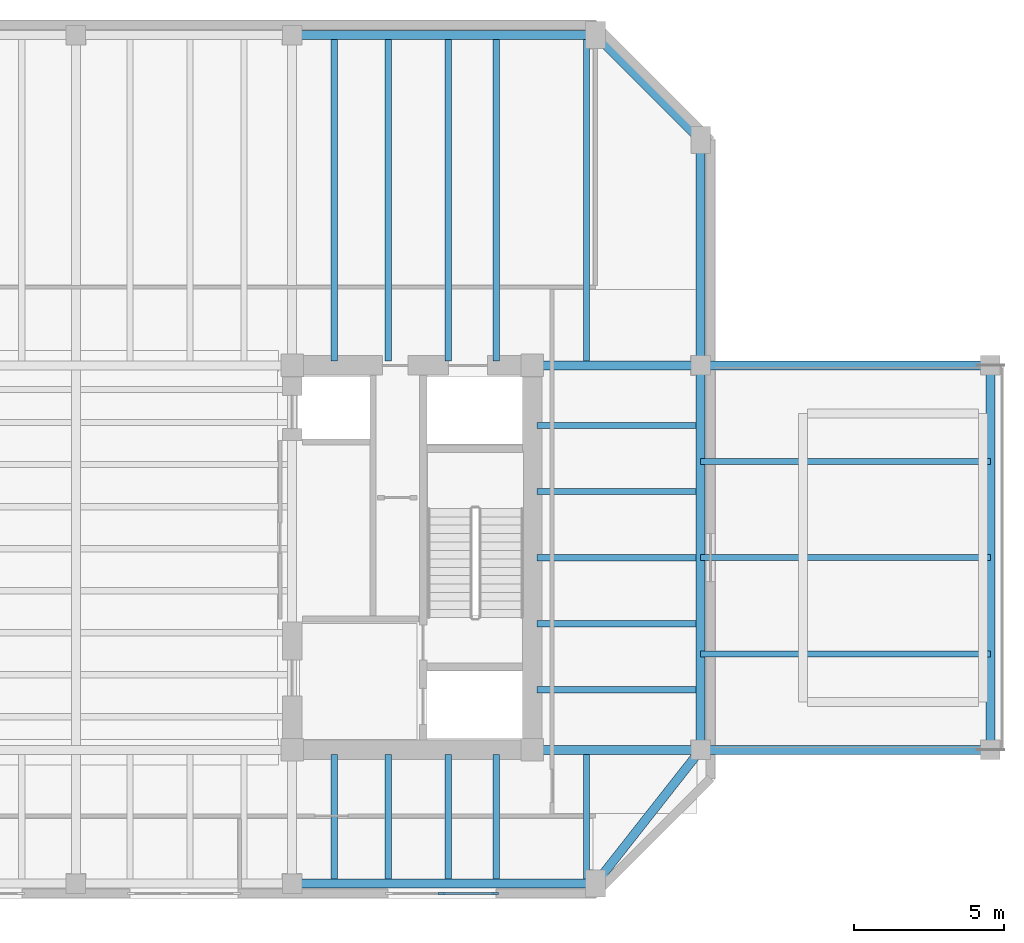
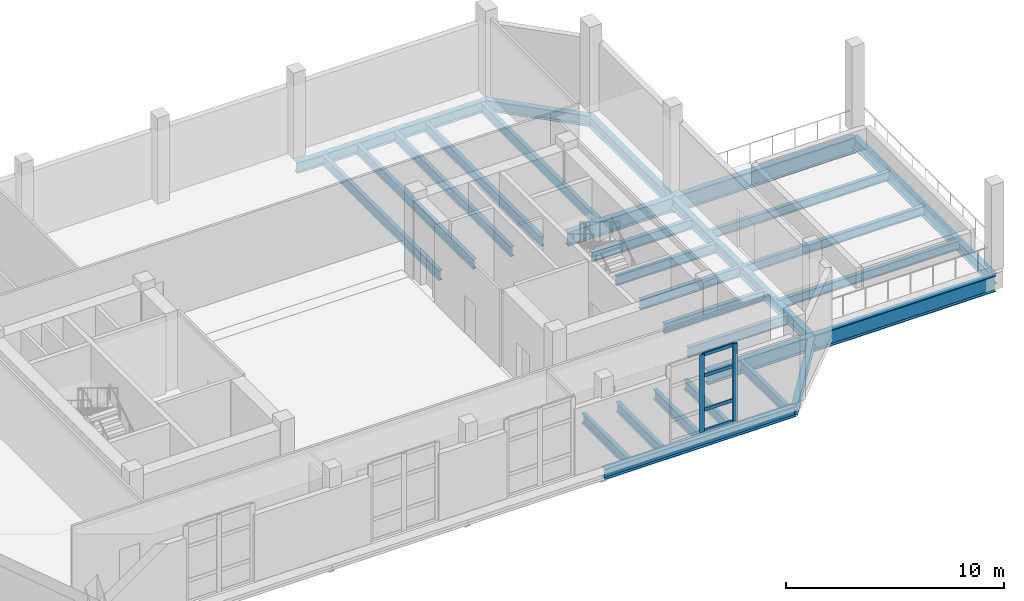
# One storey, part 4 of 11: 29 beams, 6 members, 1 element without a shape of its own.
"""IFC4 building model written with IfcOpenShell, lengths in metres."""

from ifc_helpers import new_model, si_unit, direction, frame, origin, origin_2d, place, context, subcontext, project, spatial, rectangle, i_section, extrude, material, layer, layer_set, material_profile, profile_set, type_object, element, aggregate, save


model = new_model("IFC4")

# Units and contexts
model_context = context("Model", 3, precision=1e-05, world=origin(), true_north=direction((0.0, 1.0)))
body_context = subcontext(model_context, "Body", "Model", "MODEL_VIEW")
ifc_project = project(units=[si_unit("LENGTHUNIT", "METRE"), si_unit("AREAUNIT", "SQUARE_METRE"), si_unit("VOLUMEUNIT", "CUBIC_METRE"), si_unit("PLANEANGLEUNIT", "RADIAN"), si_unit("MASSUNIT", "GRAM", prefix="KILO")], contexts=[model_context])

# Site, building, storey
site_placement = place(None, origin())
site = spatial("IfcSite", under=ifc_project, at=site_placement, CompositionType="ELEMENT")
building_placement = place(site_placement, origin())
building = spatial("IfcBuilding", under=site, at=building_placement, Name="Kranthara Brick Stack", CompositionType="ELEMENT")
storey_placement = place(building_placement, frame((0.0, 0.0, 287.39990234375)))
storey = spatial("IfcBuildingStorey", under=building, at=storey_placement, Name="L76", CompositionType="ELEMENT", Elevation=287.39990234375)

# Beams
ifc_material_1 = material(Name="Steel S355", Category="steel")
ifc_material_profile_1 = material_profile(ifc_material_1, i_section(OverallWidth=0.199951171875, OverallDepth=0.5, WebThickness=0.01025390625, FlangeThickness=0.01611328125, at=origin_2d()), Name="IPE 500")
ifc_profile_set_1 = profile_set([ifc_material_profile_1], Name="Steel S355")
beam_type_1 = type_object("IfcBeamType", Name="BM-JST-IPE500", PredefinedType="JOIST", material=ifc_profile_set_1)
for number, where, z_axis, x_axis, name in (
    (1, (48.800048828125, 24.0, -0.699951171875), (1.0, 0.0, 0.0), (0.0, 1.0, 0.0), "L76 Sky Pool Deck Joist 095"),
    (2, (48.800048828125, 27.199951171875, -0.699951171875), (1.0, 0.0, 0.0), (0.0, 1.0, 0.0), "L76 Sky Pool Deck Joist 096"),
    (3, (48.800048828125, 30.39990234375, -0.699951171875), (1.0, 0.0, 0.0), (0.0, 1.0, 0.0), "L76 Sky Pool Deck Joist 097"),
):
    element("IfcBeam", number, at=place(storey_placement, frame(where, z_axis=z_axis, x_axis=x_axis)), inside=storey, type_object=beam_type_1, Name=name, PredefinedType="JOIST", context=body_context, shape_type="SweptSolid", body=[
        extrude(i_section(OverallWidth=0.199951171875, OverallDepth=0.5, WebThickness=0.01025390625, FlangeThickness=0.01611328125, at=origin_2d()), origin(), (0.0, 0.0, 1.0), 9.64990234375),
    ])
ifc_material_2 = material(Name="Steel S355", Category="steel")
ifc_material_profile_2 = material_profile(ifc_material_2, i_section(OverallWidth=0.2099609375, OverallDepth=0.550048828125, WebThickness=0.010986328125, FlangeThickness=0.01708984375, at=origin_2d()), Name="IPE 550")
ifc_profile_set_2 = profile_set([ifc_material_profile_2], Name="Steel S355")
beam_type_2 = type_object("IfcBeamType", Name="BM-JST-IPE550", PredefinedType="JOIST", material=ifc_profile_set_2)
beam_1_placement = place(storey_placement, frame((36.60009765625, 16.5, -0.724853515625), z_axis=(0.0, 1.0, 0.0), x_axis=(-1.0, 0.0, 0.0)))
element("IfcBeam", 4, at=beam_1_placement, inside=storey, type_object=beam_type_2, Name="L76 South Wing Floor Joist 072", PredefinedType="JOIST", context=body_context, shape_type="SweptSolid", body=[
    extrude(i_section(OverallWidth=0.2099609375, OverallDepth=0.550048828125, WebThickness=0.010986328125, FlangeThickness=0.01708984375, at=origin_2d()), origin(), (0.0, 0.0, 1.0), 4.14990234375),
])
beam_2_placement = place(storey_placement, frame((36.60009765625, 33.75, -0.724853515625), z_axis=(0.0, 1.0, 0.0), x_axis=(-1.0, 0.0, 0.0)))
element("IfcBeam", 5, at=beam_2_placement, inside=storey, type_object=beam_type_2, Name="L76 North Wing Floor Joist 073", PredefinedType="JOIST", context=body_context, shape_type="SweptSolid", body=[
    extrude(i_section(OverallWidth=0.2099609375, OverallDepth=0.550048828125, WebThickness=0.010986328125, FlangeThickness=0.01708984375, at=origin_2d()), origin(), (0.0, 0.0, 1.0), 10.699951171875),
])
beam_3_placement = place(storey_placement, frame((38.39990234375, 16.5, -0.724853515625), z_axis=(0.0, 1.0, 0.0), x_axis=(-1.0, 0.0, 0.0)))
element("IfcBeam", 6, at=beam_3_placement, inside=storey, type_object=beam_type_2, Name="L76 South Wing Floor Joist 074", PredefinedType="JOIST", context=body_context, shape_type="SweptSolid", body=[
    extrude(i_section(OverallWidth=0.2099609375, OverallDepth=0.550048828125, WebThickness=0.010986328125, FlangeThickness=0.01708984375, at=origin_2d()), origin(), (0.0, 0.0, 1.0), 4.14990234375),
])
beam_4_placement = place(storey_placement, frame((38.39990234375, 33.75, -0.724853515625), z_axis=(0.0, 1.0, 0.0), x_axis=(-1.0, 0.0, 0.0)))
element("IfcBeam", 7, at=beam_4_placement, inside=storey, type_object=beam_type_2, Name="L76 North Wing Floor Joist 075", PredefinedType="JOIST", context=body_context, shape_type="SweptSolid", body=[
    extrude(i_section(OverallWidth=0.2099609375, OverallDepth=0.550048828125, WebThickness=0.010986328125, FlangeThickness=0.01708984375, at=origin_2d()), origin(), (0.0, 0.0, 1.0), 10.699951171875),
])
beam_5_placement = place(storey_placement, frame((40.39990234375, 16.5, -0.724853515625), z_axis=(0.0, 1.0, 0.0), x_axis=(-1.0, 0.0, 0.0)))
element("IfcBeam", 8, at=beam_5_placement, inside=storey, type_object=beam_type_2, Name="L76 South Wing Floor Joist 076", PredefinedType="JOIST", context=body_context, shape_type="SweptSolid", body=[
    extrude(i_section(OverallWidth=0.2099609375, OverallDepth=0.550048828125, WebThickness=0.010986328125, FlangeThickness=0.01708984375, at=origin_2d()), origin(), (0.0, 0.0, 1.0), 4.14990234375),
])
beam_6_placement = place(storey_placement, frame((40.39990234375, 33.75, -0.724853515625), z_axis=(0.0, 1.0, 0.0), x_axis=(-1.0, 0.0, 0.0)))
element("IfcBeam", 9, at=beam_6_placement, inside=storey, type_object=beam_type_2, Name="L76 North Wing Floor Joist 077", PredefinedType="JOIST", context=body_context, shape_type="SweptSolid", body=[
    extrude(i_section(OverallWidth=0.2099609375, OverallDepth=0.550048828125, WebThickness=0.010986328125, FlangeThickness=0.01708984375, at=origin_2d()), origin(), (0.0, 0.0, 1.0), 10.699951171875),
])
beam_7_placement = place(storey_placement, frame((42.0, 16.5, -0.724853515625), z_axis=(0.0, 1.0, 0.0), x_axis=(-1.0, 0.0, 0.0)))
element("IfcBeam", 10, at=beam_7_placement, inside=storey, type_object=beam_type_2, Name="L76 South Wing Floor Joist 078", PredefinedType="JOIST", context=body_context, shape_type="SweptSolid", body=[
    extrude(i_section(OverallWidth=0.2099609375, OverallDepth=0.550048828125, WebThickness=0.010986328125, FlangeThickness=0.01708984375, at=origin_2d()), origin(), (0.0, 0.0, 1.0), 4.14990234375),
])
beam_8_placement = place(storey_placement, frame((42.0, 33.75, -0.724853515625), z_axis=(0.0, 1.0, 0.0), x_axis=(-1.0, 0.0, 0.0)))
element("IfcBeam", 11, at=beam_8_placement, inside=storey, type_object=beam_type_2, Name="L76 North Wing Floor Joist 079", PredefinedType="JOIST", context=body_context, shape_type="SweptSolid", body=[
    extrude(i_section(OverallWidth=0.2099609375, OverallDepth=0.550048828125, WebThickness=0.010986328125, FlangeThickness=0.01708984375, at=origin_2d()), origin(), (0.0, 0.0, 1.0), 10.699951171875),
])
beam_9_placement = place(storey_placement, frame((45.0, 16.5, -0.724853515625), z_axis=(0.0, 1.0, 0.0), x_axis=(-1.0, 0.0, 0.0)))
element("IfcBeam", 12, at=beam_9_placement, inside=storey, type_object=beam_type_2, Name="L76 South Wing Floor Joist 080", PredefinedType="JOIST", context=body_context, shape_type="SweptSolid", body=[
    extrude(i_section(OverallWidth=0.2099609375, OverallDepth=0.550048828125, WebThickness=0.010986328125, FlangeThickness=0.01708984375, at=origin_2d()), origin(), (0.0, 0.0, 1.0), 4.14990234375),
])
beam_10_placement = place(storey_placement, frame((45.0, 33.75, -0.724853515625), z_axis=(0.0, 1.0, 0.0), x_axis=(-1.0, 0.0, 0.0)))
element("IfcBeam", 13, at=beam_10_placement, inside=storey, type_object=beam_type_2, Name="L76 North Wing Floor Joist 081", PredefinedType="JOIST", context=body_context, shape_type="SweptSolid", body=[
    extrude(i_section(OverallWidth=0.2099609375, OverallDepth=0.550048828125, WebThickness=0.010986328125, FlangeThickness=0.01708984375, at=origin_2d()), origin(), (0.0, 0.0, 1.0), 10.699951171875),
])
for number, where, z_axis, x_axis, name in (
    (14, (43.35009765625, 22.800048828125, -0.724853515625), (1.0, 0.0, 0.0), (0.0, 1.0, 0.0), "L76 East Wing Floor Joist 083"),
    (15, (43.35009765625, 25.0, -0.724853515625), (1.0, 0.0, 0.0), (0.0, 1.0, 0.0), "L76 East Wing Floor Joist 085"),
    (16, (43.35009765625, 27.199951171875, -0.724853515625), (1.0, 0.0, 0.0), (0.0, 1.0, 0.0), "L76 East Wing Floor Joist 087"),
    (17, (43.35009765625, 29.39990234375, -0.724853515625), (1.0, 0.0, 0.0), (0.0, 1.0, 0.0), "L76 East Wing Floor Joist 089"),
    (18, (43.35009765625, 31.60009765625, -0.724853515625), (1.0, 0.0, 0.0), (0.0, 1.0, 0.0), "L76 East Wing Floor Joist 091"),
):
    element("IfcBeam", number, at=place(storey_placement, frame(where, z_axis=z_axis, x_axis=x_axis)), inside=storey, type_object=beam_type_2, Name=name, PredefinedType="JOIST", context=body_context, shape_type="SweptSolid", body=[
        extrude(i_section(OverallWidth=0.2099609375, OverallDepth=0.550048828125, WebThickness=0.010986328125, FlangeThickness=0.01708984375, at=origin_2d()), origin(), (0.0, 0.0, 1.0), 5.2998046875),
    ])
ifc_material_3 = material(Name="Steel S355", Category="steel")
ifc_material_profile_3 = material_profile(ifc_material_3, i_section(OverallWidth=0.300048828125, OverallDepth=0.60009765625, WebThickness=0.015380859375, FlangeThickness=0.030029296875, at=origin_2d()), Name="HEB 600")
ifc_profile_set_3 = profile_set([ifc_material_profile_3], Name="Steel S355")
beam_type_3 = type_object("IfcBeamType", Name="BM-STL-HEB600", PredefinedType="BEAM", material=ifc_profile_set_3)
for number, where, z_axis, x_axis, name in (
    (19, (35.199951171875, 16.35009765625, -0.75), (1.0, 0.0, 0.0), (0.0, 1.0, 0.0), "L76 Perimeter Spandrel Beam 008"),
    (20, (35.199951171875, 44.60009765625, -0.75), (1.0, 0.0, 0.0), (0.0, 1.0, 0.0), "L76 Perimeter Spandrel Beam 012"),
):
    element("IfcBeam", number, at=place(storey_placement, frame(where, z_axis=z_axis, x_axis=x_axis)), inside=storey, type_object=beam_type_3, Name=name, PredefinedType="BEAM", context=body_context, shape_type="SweptSolid", body=[
        extrude(i_section(OverallWidth=0.300048828125, OverallDepth=0.60009765625, WebThickness=0.015380859375, FlangeThickness=0.030029296875, at=origin_2d()), origin(), (0.0, 0.0, 1.0), 10.10009765625),
    ])
beam_11_placement = place(storey_placement, frame((48.800048828125, 20.800048828125, -0.75), z_axis=(0.0, 1.0, 0.0), x_axis=(-1.0, 0.0, 0.0)))
element("IfcBeam", 21, at=beam_11_placement, inside=storey, type_object=beam_type_3, Name="L76 Perimeter Spandrel Beam 015", PredefinedType="BEAM", context=body_context, shape_type="SweptSolid", body=[
    extrude(i_section(OverallWidth=0.300048828125, OverallDepth=0.60009765625, WebThickness=0.015380859375, FlangeThickness=0.030029296875, at=origin_2d()), origin(), (0.0, 0.0, 1.0), 12.800048828125),
])
beam_12_placement = place(storey_placement, frame((48.800048828125, 33.60009765625, -0.75), z_axis=(0.0, 1.0, 0.0), x_axis=(-1.0, 0.0, 0.0)))
element("IfcBeam", 22, at=beam_12_placement, inside=storey, type_object=beam_type_3, Name="L76 Perimeter Spandrel Beam 016", PredefinedType="BEAM", context=body_context, shape_type="SweptSolid", body=[
    extrude(i_section(OverallWidth=0.300048828125, OverallDepth=0.60009765625, WebThickness=0.015380859375, FlangeThickness=0.030029296875, at=origin_2d()), origin(), (0.0, 0.0, 1.0), 7.5),
])
beam_13_placement = place(storey_placement, frame((45.300048828125, 16.35009765625, -0.75), z_axis=(0.618215705636, 0.78600848679, 0.0), x_axis=(-0.78600848679, 0.618215705636, 0.0)))
element("IfcBeam", 23, at=beam_13_placement, inside=storey, type_object=beam_type_3, Name="L76 Chamfer Corner Spandrel 018", PredefinedType="BEAM", context=body_context, shape_type="SweptSolid", body=[
    extrude(i_section(OverallWidth=0.300048828125, OverallDepth=0.60009765625, WebThickness=0.015380859375, FlangeThickness=0.030029296875, at=origin_2d()), origin(), (0.0, 0.0, 1.0), 5.661376953125),
])
beam_14_placement = place(storey_placement, frame((45.300048828125, 44.60009765625, -0.75), z_axis=(0.707106781187, -0.707106781187, 0.0), x_axis=(0.707106781187, 0.707106781187, 0.0)))
element("IfcBeam", 24, at=beam_14_placement, inside=storey, type_object=beam_type_3, Name="L76 Chamfer Corner Spandrel 020", PredefinedType="BEAM", context=body_context, shape_type="SweptSolid", body=[
    extrude(i_section(OverallWidth=0.300048828125, OverallDepth=0.60009765625, WebThickness=0.015380859375, FlangeThickness=0.030029296875, at=origin_2d()), origin(), (0.0, 0.0, 1.0), 4.94970703125),
])
beam_15_placement = place(storey_placement, frame((58.449951171875, 20.800048828125, -0.75), z_axis=(0.0, 1.0, 0.0), x_axis=(-1.0, 0.0, 0.0)))
element("IfcBeam", 25, at=beam_15_placement, inside=storey, type_object=beam_type_3, Name="L76 Sky Pool Tip Edge Beam 094", PredefinedType="BEAM", context=body_context, shape_type="SweptSolid", body=[
    extrude(i_section(OverallWidth=0.300048828125, OverallDepth=0.60009765625, WebThickness=0.015380859375, FlangeThickness=0.030029296875, at=origin_2d()), origin(), (0.0, 0.0, 1.0), 12.800048828125),
])
ifc_material_4 = material(Name="Steel S355", Category="steel")
ifc_material_profile_4 = material_profile(ifc_material_4, i_section(OverallWidth=0.300048828125, OverallDepth=0.800048828125, WebThickness=0.017578125, FlangeThickness=0.032958984375, at=origin_2d()), Name="HEB 800")
ifc_profile_set_4 = profile_set([ifc_material_profile_4], Name="Steel S355")
beam_type_4 = type_object("IfcBeamType", Name="BM-TR-HEB800", PredefinedType="BEAM", material=ifc_profile_set_4)
for number, where, z_axis, x_axis, name in (
    (26, (43.199951171875, 20.800048828125, -0.849853515625), (1.0, 0.0, 0.0), (0.0, 1.0, 0.0), "L76 Primary Grid Girder 029"),
    (27, (43.199951171875, 33.60009765625, -0.849853515625), (1.0, 0.0, 0.0), (0.0, 1.0, 0.0), "L76 Primary Grid Girder 031"),
):
    element("IfcBeam", number, at=place(storey_placement, frame(where, z_axis=z_axis, x_axis=x_axis)), inside=storey, type_object=beam_type_4, Name=name, PredefinedType="BEAM", context=body_context, shape_type="SweptSolid", body=[
        extrude(i_section(OverallWidth=0.300048828125, OverallDepth=0.800048828125, WebThickness=0.017578125, FlangeThickness=0.032958984375, at=origin_2d()), origin(), (0.0, 0.0, 1.0), 5.60009765625),
    ])
ifc_material_5 = material(Name="Steel S460", Category="steel")
ifc_material_profile_5 = material_profile(ifc_material_5, i_section(OverallWidth=0.300048828125, OverallDepth=0.89990234375, WebThickness=0.0185546875, FlangeThickness=0.034912109375, at=origin_2d()), Name="HEB 900")
ifc_profile_set_5 = profile_set([ifc_material_profile_5], Name="Steel S460")
beam_type_5 = type_object("IfcBeamType", Name="BM-TR-HEB900", PredefinedType="BEAM", material=ifc_profile_set_5)
for number, where, z_axis, x_axis, name in (
    (28, (48.800048828125, 20.800048828125, -0.89990234375), (1.0, 0.0, 0.0), (0.0, 1.0, 0.0), "L76 Sky Pool Cantilever Girder 092"),
    (29, (48.800048828125, 33.60009765625, -0.89990234375), (1.0, 0.0, 0.0), (0.0, 1.0, 0.0), "L76 Sky Pool Cantilever Girder 093"),
):
    element("IfcBeam", number, at=place(storey_placement, frame(where, z_axis=z_axis, x_axis=x_axis)), inside=storey, type_object=beam_type_5, Name=name, PredefinedType="BEAM", context=body_context, shape_type="SweptSolid", body=[
        extrude(i_section(OverallWidth=0.300048828125, OverallDepth=0.89990234375, WebThickness=0.0185546875, FlangeThickness=0.034912109375, at=origin_2d()), origin(), (0.0, 0.0, 1.0), 9.64990234375),
    ])

# Curtain wall, members
ifc_material_6 = material(Name="Bronze anodised aluminium and low-E glass", Category="aluminium")
ifc_layer = layer(ifc_material_6, 0.239990234375)
ifc_layer_set = layer_set([ifc_layer], Name="Bronze anodised aluminium and low-E glass")
curtain_wall_type = type_object("IfcCurtainWallType", Name="CW-SYS5-SKYPOOL", PredefinedType="USERDEFINED", material=ifc_layer_set)
curtain_wall_placement = place(storey_placement, origin())
curtain_wall = element("IfcCurtainWall", 30, at=curtain_wall_placement, inside=storey, type_object=curtain_wall_type, Name="L76 Curtain Wall CW5-L76-01", ObjectType="UNITISED CURTAIN WALL", PredefinedType="USERDEFINED")
ifc_material_7 = material(Name="Bronze anodised aluminium 6063-T6", Category="aluminium")
ifc_material_profile_6 = material_profile(ifc_material_7, rectangle(XDim=0.080078125, YDim=0.25, at=origin_2d()), Name="ALU MULLION 80x250")
ifc_profile_set_6 = profile_set([ifc_material_profile_6], Name="Bronze anodised aluminium 6063-T6")
member_type_1 = type_object("IfcMemberType", Name="CWM-80x250", PredefinedType="MULLION", material=ifc_profile_set_6)
member_1_placement = place(storey_placement, frame((41.947998046875, 16.02001953125, 0.0), z_axis=(0.0, 0.0, 1.0), x_axis=(0.0, -1.0, 0.0)))
member_1 = element("IfcMember", 31, at=member_1_placement, type_object=member_type_1, Name="CW mullion 1", PredefinedType="MULLION", context=body_context, shape_type="SweptSolid", body=[
    extrude(rectangle(XDim=0.080078125, YDim=0.25, at=origin_2d()), origin(), (0.0, 0.0, 1.0), 4.35009765625),
])
member_2_placement = place(storey_placement, frame((40.18798828125, 16.02001953125, 0.0), z_axis=(0.0, 0.0, 1.0), x_axis=(0.0, -1.0, 0.0)))
member_2 = element("IfcMember", 32, at=member_2_placement, type_object=member_type_1, Name="CW mullion 2", PredefinedType="MULLION", context=body_context, shape_type="SweptSolid", body=[
    extrude(rectangle(XDim=0.080078125, YDim=0.25, at=origin_2d()), origin(), (0.0, 0.0, 1.0), 4.35009765625),
])
ifc_material_8 = material(Name="Bronze anodised aluminium 6063-T6", Category="aluminium")
ifc_material_profile_7 = material_profile(ifc_material_8, rectangle(XDim=0.080078125, YDim=0.18994140625, at=origin_2d()), Name="ALU TRANSOM 80x190")
ifc_profile_set_7 = profile_set([ifc_material_profile_7], Name="Bronze anodised aluminium 6063-T6")
member_type_2 = type_object("IfcMemberType", Name="CWT-80x190", PredefinedType="USERDEFINED", material=ifc_profile_set_7)
member_3_placement = place(storey_placement, frame((41.907958984375, 16.02001953125, 0.0400390625), z_axis=(-1.0, 0.0, 0.0), x_axis=(0.0, -1.0, 0.0)))
member_3 = element("IfcMember", 33, at=member_3_placement, type_object=member_type_2, Name="CW transom 1.1", ObjectType="TRANSOM", PredefinedType="USERDEFINED", context=body_context, shape_type="SweptSolid", body=[
    extrude(rectangle(XDim=0.080078125, YDim=0.18994140625, at=origin_2d()), origin(), (0.0, 0.0, 1.0), 1.679931640625),
])
member_4_placement = place(storey_placement, frame((41.907958984375, 16.02001953125, 1.218017578125), z_axis=(-1.0, 0.0, 0.0), x_axis=(0.0, -1.0, 0.0)))
member_4 = element("IfcMember", 34, at=member_4_placement, type_object=member_type_2, Name="CW transom 1.2", ObjectType="TRANSOM", PredefinedType="USERDEFINED", context=body_context, shape_type="SweptSolid", body=[
    extrude(rectangle(XDim=0.080078125, YDim=0.18994140625, at=origin_2d()), origin(), (0.0, 0.0, 1.0), 1.679931640625),
])
member_5_placement = place(storey_placement, frame((41.907958984375, 16.02001953125, 3.132080078125), z_axis=(-1.0, 0.0, 0.0), x_axis=(0.0, -1.0, 0.0)))
member_5 = element("IfcMember", 35, at=member_5_placement, type_object=member_type_2, Name="CW transom 1.3", ObjectType="TRANSOM", PredefinedType="USERDEFINED", context=body_context, shape_type="SweptSolid", body=[
    extrude(rectangle(XDim=0.080078125, YDim=0.18994140625, at=origin_2d()), origin(), (0.0, 0.0, 1.0), 1.679931640625),
])
member_6_placement = place(storey_placement, frame((41.907958984375, 16.02001953125, 4.31005859375), z_axis=(-1.0, 0.0, 0.0), x_axis=(0.0, -1.0, 0.0)))
member_6 = element("IfcMember", 36, at=member_6_placement, type_object=member_type_2, Name="CW transom 1.4", ObjectType="TRANSOM", PredefinedType="USERDEFINED", context=body_context, shape_type="SweptSolid", body=[
    extrude(rectangle(XDim=0.080078125, YDim=0.18994140625, at=origin_2d()), origin(), (0.0, 0.0, 1.0), 1.679931640625),
])
aggregate(curtain_wall, [member_1, member_2, member_3, member_4, member_5, member_6])

save(model, "model.ifc")
